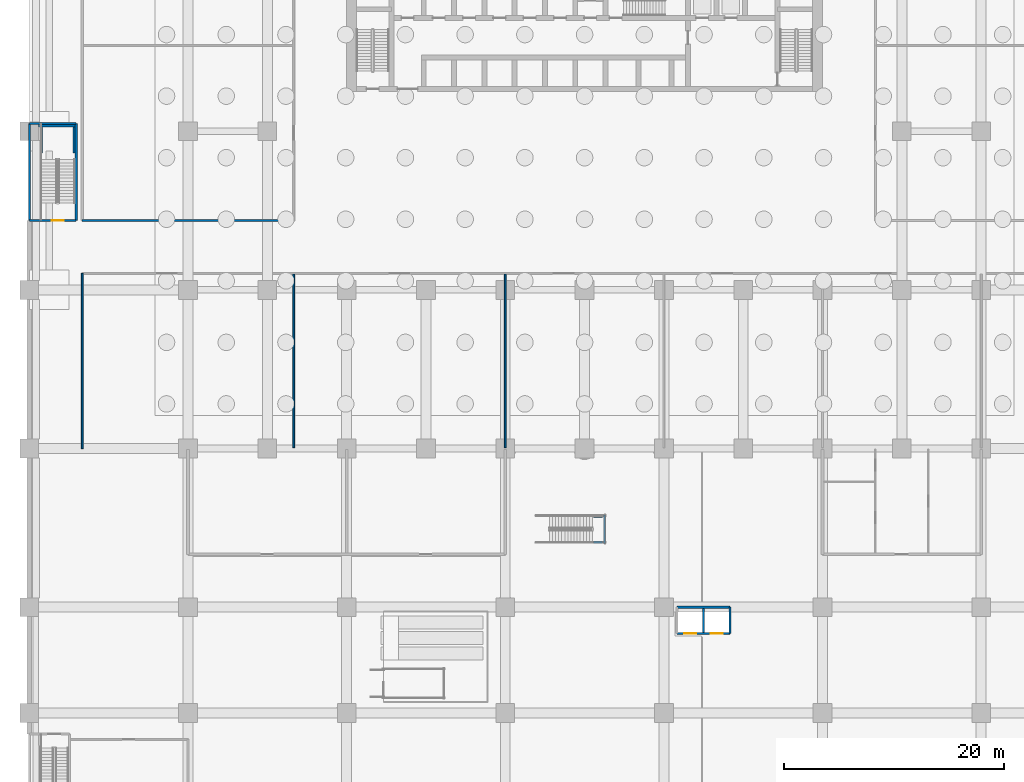
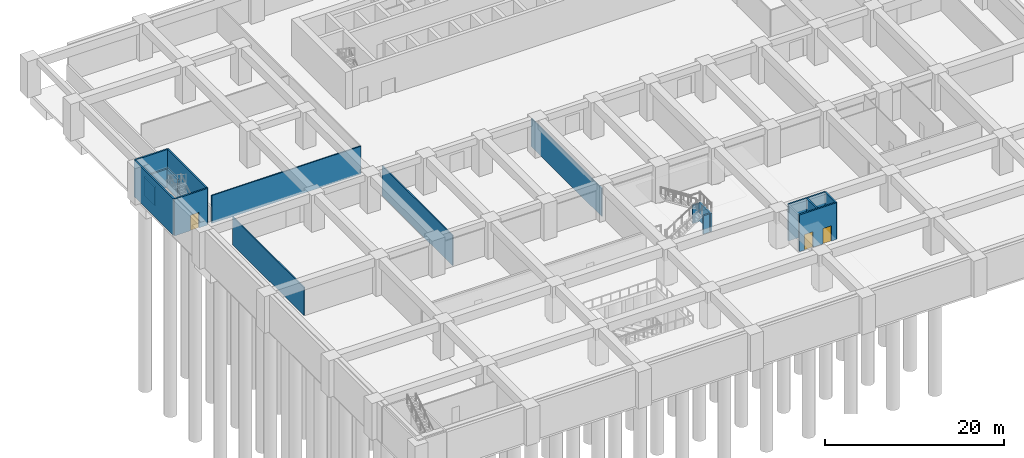
# One storey, part 5 of 20: 18 walls, 3 doors, 3 openings.
"""IFC4 building model written with IfcOpenShell, lengths in metres."""

from ifc_helpers import new_model, si_unit, direction, frame, frame_2d, origin, place, context, subcontext, project, spatial, rectangle, extrude, material, layer, layer_set, type_object, element, fill, save


model = new_model("IFC4")

# Units and contexts
model_context = context("Model", 3, precision=1e-05, world=origin(), true_north=direction((0.0, 1.0)))
body_context = subcontext(model_context, "Body", "Model", "MODEL_VIEW")
ifc_project = project(units=[si_unit("LENGTHUNIT", "METRE"), si_unit("AREAUNIT", "SQUARE_METRE"), si_unit("VOLUMEUNIT", "CUBIC_METRE"), si_unit("PLANEANGLEUNIT", "RADIAN"), si_unit("MASSUNIT", "GRAM", prefix="KILO")], contexts=[model_context])

# Site, building, storey
site_placement = place(None, origin())
site = spatial("IfcSite", under=ifc_project, at=site_placement, CompositionType="ELEMENT")
building_placement = place(site_placement, origin())
building = spatial("IfcBuilding", under=site, at=building_placement, Name="Saffron Iwan Residences", CompositionType="ELEMENT")
storey_placement = place(building_placement, frame((0.0, 0.0, -5.39990234375)))
storey = spatial("IfcBuildingStorey", under=building, at=storey_placement, Name="B1", CompositionType="ELEMENT", Elevation=-5.39990234375)

# Walls
ifc_material_1 = material(Name="Concrete blockwork", Category="masonry")
ifc_layer_1 = layer(ifc_material_1, 0.14990234375)
ifc_layer_set_1 = layer_set([ifc_layer_1], Name="Concrete blockwork")
wall_type_1 = type_object("IfcWallType", Name="Blockwork partition 150", PredefinedType="PARTITIONING", material=ifc_layer_set_1)
wall_1_placement = place(storey_placement, frame((4.800048828125, 54.300048828125, 0.0), z_axis=(0.0, 0.0, 1.0), x_axis=(1.0, 0.0, 0.0)))
element("IfcWall", 1, at=wall_1_placement, inside=storey, type_object=wall_type_1, Name="W-B1-015", PredefinedType="PARTITIONING", context=body_context, shape_type="SweptSolid", body=[
    extrude(rectangle(XDim=19.199951171875, YDim=0.14990234375, at=frame_2d((9.60009765625, 0.0))), origin(), (0.0, 0.0, 1.0), 3.7998046875),
])
wall_2_placement = place(storey_placement, frame((4.800048828125, 33.60009765625, 0.0), z_axis=(0.0, 0.0, 1.0), x_axis=(0.0, 1.0, 0.0)))
element("IfcWall", 2, at=wall_2_placement, inside=storey, type_object=wall_type_1, Name="W-B1-029", PredefinedType="PARTITIONING", context=body_context, shape_type="SweptSolid", body=[
    extrude(rectangle(XDim=15.89990234375, YDim=0.14990234375, at=frame_2d((7.949951171875, 0.0))), origin(), (0.0, 0.0, 1.0), 3.7998046875),
])
wall_3_placement = place(storey_placement, frame((24.0, 33.675048828125, 0.0), z_axis=(0.0, 0.0, 1.0), x_axis=(0.0, 1.0, 0.0)))
element("IfcWall", 3, at=wall_3_placement, inside=storey, type_object=wall_type_1, Name="W-B1-033", PredefinedType="PARTITIONING", context=body_context, shape_type="SweptSolid", body=[
    extrude(rectangle(XDim=15.75, YDim=0.14990234375, at=frame_2d((7.875, 0.0))), origin(), (0.0, 0.0, 1.0), 4.099853515625),
])
wall_4_placement = place(storey_placement, frame((43.199951171875, 33.675048828125, 0.0), z_axis=(0.0, 0.0, 1.0), x_axis=(0.0, 1.0, 0.0)))
element("IfcWall", 4, at=wall_4_placement, inside=storey, type_object=wall_type_1, Name="W-B1-036", PredefinedType="PARTITIONING", context=body_context, shape_type="SweptSolid", body=[
    extrude(rectangle(XDim=15.75, YDim=0.14990234375, at=frame_2d((7.875, 0.0))), origin(), (0.0, 0.0, 1.0), 3.7998046875),
])
ifc_material_2 = material(Name="Concrete C40/50", Category="concrete")
ifc_layer_2 = layer(ifc_material_2, 0.199951171875)
ifc_layer_set_2 = layer_set([ifc_layer_2], Name="Concrete C40/50")
wall_type_2 = type_object("IfcWallType", Name="Landing support wall, reinforced concrete 200", PredefinedType="SOLIDWALL", material=ifc_layer_set_2)
for number, where, z_axis, x_axis, name in (
    (5, (1.10009765625, 60.419921875, 0.0), (0.0, 0.0, 1.0), (0.0, 1.0, 0.0), "PS3 landing support wall"),
    (6, (4.050048828125, 60.419921875, 0.0), (0.0, 0.0, 1.0), (0.0, 1.0, 0.0), "PS3 landing support wall"),
):
    element("IfcWall", number, at=place(storey_placement, frame(where, z_axis=z_axis, x_axis=x_axis)), inside=storey, type_object=wall_type_2, Name=name, PredefinedType="SOLIDWALL", context=body_context, shape_type="SweptSolid", body=[
        extrude(rectangle(XDim=2.380126953125, YDim=0.199951171875, at=frame_2d((1.18994140625, 0.0))), origin(), (0.0, 0.0, 1.0), 2.5),
    ])
wall_5_placement = place(storey_placement, frame((0.85009765625, 62.89990234375, 0.0), z_axis=(0.0, 0.0, 1.0), x_axis=(1.0, 0.0, 0.0)))
element("IfcWall", 7, at=wall_5_placement, inside=storey, type_object=wall_type_2, Name="PS3 landing support wall", PredefinedType="SOLIDWALL", context=body_context, shape_type="SweptSolid", body=[
    extrude(rectangle(XDim=3.2998046875, YDim=0.199951171875, at=frame_2d((1.64990234375, 0.0))), origin(), (0.0, 0.0, 1.0), 2.5),
])
for number, where, z_axis, x_axis, name in (
    (8, (51.219970703125, 25.10009765625, 0.0), (0.0, 0.0, 1.0), (1.0, 0.0, 0.0), "SP1 landing support wall"),
    (9, (51.219970703125, 27.449951171875, 0.0), (0.0, 0.0, 1.0), (1.0, 0.0, 0.0), "SP1 landing support wall"),
):
    element("IfcWall", number, at=place(storey_placement, frame(where, z_axis=z_axis, x_axis=x_axis)), inside=storey, type_object=wall_type_2, Name=name, PredefinedType="SOLIDWALL", context=body_context, shape_type="SweptSolid", body=[
        extrude(rectangle(XDim=0.800048828125, YDim=0.199951171875, at=frame_2d((0.39990234375, 0.0))), origin(), (0.0, 0.0, 1.0), 2.5),
    ])
wall_6_placement = place(storey_placement, frame((52.219970703125, 25.0, 0.0), z_axis=(0.0, 0.0, 1.0), x_axis=(0.0, 1.0, 0.0)))
element("IfcWall", 10, at=wall_6_placement, inside=storey, type_object=wall_type_2, Name="SP1 landing support wall", PredefinedType="SOLIDWALL", context=body_context, shape_type="SweptSolid", body=[
    extrude(rectangle(XDim=2.550048828125, YDim=0.199951171875, at=frame_2d((1.27490234375, 0.0))), origin(), (0.0, 0.0, 1.0), 2.5),
])

# Wall, openings, doors
ifc_layer_3 = layer(ifc_material_2, 0.199951171875)
ifc_layer_set_3 = layer_set([ifc_layer_3], Name="Concrete C40/50")
wall_type_3 = type_object("IfcWallType", Name="Reinforced concrete stair wall 200", PredefinedType="SOLIDWALL", material=ifc_layer_set_3)
wall_7_placement = place(storey_placement, frame((58.800048828125, 16.800048828125, 0.0), z_axis=(0.0, 0.0, 1.0), x_axis=(1.0, 0.0, 0.0)))
wall_7 = element("IfcWall", 11, at=wall_7_placement, inside=storey, type_object=wall_type_3, Name="W-B1-008", PredefinedType="SOLIDWALL", context=body_context, shape_type="SweptSolid", body=[
    extrude(rectangle(XDim=4.800048828125, YDim=0.199951171875, at=frame_2d((2.39990234375, 0.0))), origin(), (0.0, 0.0, 1.0), 5.0),
])
opening_1_placement = place(wall_7_placement, frame((0.64990234375, 0.0, 0.0)))
opening_1 = element("IfcOpeningElement", 12, at=opening_1_placement, cuts=wall_7, Name="Opening SLD", PredefinedType="OPENING", context=body_context, shape_type="SweptSolid", body=[
    extrude(rectangle(XDim=1.10009765625, YDim=2.10009765625, at=frame_2d((0.550048828125, 1.050048828125))), frame((0.0, 0.10986328125, 0.0), z_axis=(0.0, -1.0, 0.0), x_axis=(1.0, 0.0, 0.0)), (0.0, 0.0, 1.0), 0.219970703125),
])
opening_2_placement = place(wall_7_placement, frame((3.050048828125, 0.0, 0.0)))
opening_2 = element("IfcOpeningElement", 13, at=opening_2_placement, cuts=wall_7, Name="Opening SLD", PredefinedType="OPENING", context=body_context, shape_type="SweptSolid", body=[
    extrude(rectangle(XDim=1.10009765625, YDim=2.10009765625, at=frame_2d((0.550048828125, 1.050048828125))), frame((0.0, 0.10986328125, 0.0), z_axis=(0.0, -1.0, 0.0), x_axis=(1.0, 0.0, 0.0)), (0.0, 0.0, 1.0), 0.219970703125),
])
ifc_material_3 = material(Name="Stainless steel", Category="steel")
door_type_1 = type_object("IfcDoorType", Name="Station lift landing door 1100", OperationType="SLIDING_TO_LEFT", PredefinedType="DOOR", material=ifc_material_3)
door_1_placement = place(opening_1_placement, origin())
door_1 = element("IfcDoor", 14, at=door_1_placement, inside=storey, type_object=door_type_1, Name="D-B1-001", OperationType="SLIDING_TO_LEFT", OverallHeight=2.10009765625, OverallWidth=1.10009765625, PredefinedType="DOOR", context=body_context, shape_type="SweptSolid", body=[
    extrude(rectangle(XDim=1.10009765625, YDim=2.10009765625, at=frame_2d((0.550048828125, 1.050048828125))), frame((0.0, 0.02490234375, 0.0), z_axis=(0.0, -1.0, 0.0), x_axis=(1.0, 0.0, 0.0)), (0.0, 0.0, 1.0), 0.050048828125),
])
fill(opening_1, door_1)
door_2_placement = place(opening_2_placement, origin())
door_2 = element("IfcDoor", 15, at=door_2_placement, inside=storey, type_object=door_type_1, Name="D-B1-002", OperationType="SLIDING_TO_LEFT", OverallHeight=2.10009765625, OverallWidth=1.10009765625, PredefinedType="DOOR", context=body_context, shape_type="SweptSolid", body=[
    extrude(rectangle(XDim=1.10009765625, YDim=2.10009765625, at=frame_2d((0.550048828125, 1.050048828125))), frame((0.0, 0.02490234375, 0.0), z_axis=(0.0, -1.0, 0.0), x_axis=(1.0, 0.0, 0.0)), (0.0, 0.0, 1.0), 0.050048828125),
])
fill(opening_2, door_2)

# Wall
wall_8_placement = place(storey_placement, frame((58.800048828125, 19.199951171875, 0.0), z_axis=(0.0, 0.0, 1.0), x_axis=(1.0, 0.0, 0.0)))
element("IfcWall", 16, at=wall_8_placement, inside=storey, type_object=wall_type_3, Name="W-B1-009", PredefinedType="SOLIDWALL", context=body_context, shape_type="SweptSolid", body=[
    extrude(rectangle(XDim=4.800048828125, YDim=0.199951171875, at=frame_2d((2.39990234375, 0.0))), origin(), (0.0, 0.0, 1.0), 5.0),
])

# Wall, opening, door
wall_9_placement = place(storey_placement, frame((0.0, 54.300048828125, 0.0), z_axis=(0.0, 0.0, 1.0), x_axis=(1.0, 0.0, 0.0)))
wall_9 = element("IfcWall", 17, at=wall_9_placement, inside=storey, type_object=wall_type_3, Name="W-B1-017", PredefinedType="SOLIDWALL", context=body_context, shape_type="SweptSolid", body=[
    extrude(rectangle(XDim=4.25, YDim=0.199951171875, at=frame_2d((2.125, 0.0))), origin(), (0.0, 0.0, 1.0), 5.0),
])
opening_3_placement = place(wall_9_placement, frame((2.02490234375, 0.0, 0.0)))
opening_3 = element("IfcOpeningElement", 18, at=opening_3_placement, cuts=wall_9, Name="Opening B1.23", PredefinedType="OPENING", context=body_context, shape_type="SweptSolid", body=[
    extrude(rectangle(XDim=1.10009765625, YDim=2.10009765625, at=frame_2d((0.550048828125, 1.050048828125))), frame((0.0, 0.10986328125, 0.0), z_axis=(0.0, -1.0, 0.0), x_axis=(1.0, 0.0, 0.0)), (0.0, 0.0, 1.0), 0.219970703125),
])
ifc_material_4 = material(Name="Steel", Category="steel")
door_type_2 = type_object("IfcDoorType", Name="Fire door 1100x2100", OperationType="NOTDEFINED", PredefinedType="DOOR", material=ifc_material_4)
door_3_placement = place(opening_3_placement, origin())
door_3 = element("IfcDoor", 19, at=door_3_placement, inside=storey, type_object=door_type_2, Name="D-B1-023", OperationType="SINGLE_SWING_RIGHT", OverallHeight=2.10009765625, OverallWidth=1.10009765625, PredefinedType="DOOR", context=body_context, shape_type="SweptSolid", body=[
    extrude(rectangle(XDim=1.10009765625, YDim=2.10009765625, at=frame_2d((0.550048828125, 1.050048828125))), frame((0.0, 0.02490234375, 0.0), z_axis=(0.0, -1.0, 0.0), x_axis=(1.0, 0.0, 0.0)), (0.0, 0.0, 1.0), 0.050048828125),
])
fill(opening_3, door_3)

# Walls
wall_10_placement = place(storey_placement, frame((0.0, 63.10009765625, 0.0), z_axis=(0.0, 0.0, 1.0), x_axis=(1.0, 0.0, 0.0)))
element("IfcWall", 20, at=wall_10_placement, inside=storey, type_object=wall_type_3, Name="W-B1-019", PredefinedType="SOLIDWALL", context=body_context, shape_type="SweptSolid", body=[
    extrude(rectangle(XDim=4.25, YDim=0.199951171875, at=frame_2d((2.125, 0.0))), origin(), (0.0, 0.0, 1.0), 5.0),
])
for number, where, z_axis, x_axis, name in (
    (21, (0.0, 54.300048828125, 0.0), (0.0, 0.0, 1.0), (0.0, 1.0, 0.0), "W-B1-026"),
    (22, (4.25, 54.300048828125, 0.0), (0.0, 0.0, 1.0), (0.0, 1.0, 0.0), "W-B1-028"),
):
    element("IfcWall", number, at=place(storey_placement, frame(where, z_axis=z_axis, x_axis=x_axis)), inside=storey, type_object=wall_type_3, Name=name, PredefinedType="SOLIDWALL", context=body_context, shape_type="SweptSolid", body=[
        extrude(rectangle(XDim=8.800048828125, YDim=0.199951171875, at=frame_2d((4.39990234375, 0.0))), origin(), (0.0, 0.0, 1.0), 5.0),
    ])
wall_11_placement = place(storey_placement, frame((61.199951171875, 16.89990234375, 0.0), z_axis=(0.0, 0.0, 1.0), x_axis=(0.0, 1.0, 0.0)))
element("IfcWall", 23, at=wall_11_placement, inside=storey, type_object=wall_type_3, Name="W-B1-040", PredefinedType="SOLIDWALL", context=body_context, shape_type="SweptSolid", body=[
    extrude(rectangle(XDim=2.2001953125, YDim=0.199951171875, at=frame_2d((1.10009765625, 0.0))), origin(), (0.0, 0.0, 1.0), 5.0),
])
wall_12_placement = place(storey_placement, frame((63.60009765625, 16.800048828125, 0.0), z_axis=(0.0, 0.0, 1.0), x_axis=(0.0, 1.0, 0.0)))
element("IfcWall", 24, at=wall_12_placement, inside=storey, type_object=wall_type_3, Name="W-B1-041", PredefinedType="SOLIDWALL", context=body_context, shape_type="SweptSolid", body=[
    extrude(rectangle(XDim=2.39990234375, YDim=0.199951171875, at=frame_2d((1.199951171875, 0.0))), origin(), (0.0, 0.0, 1.0), 5.0),
])

save(model, "model.ifc")
